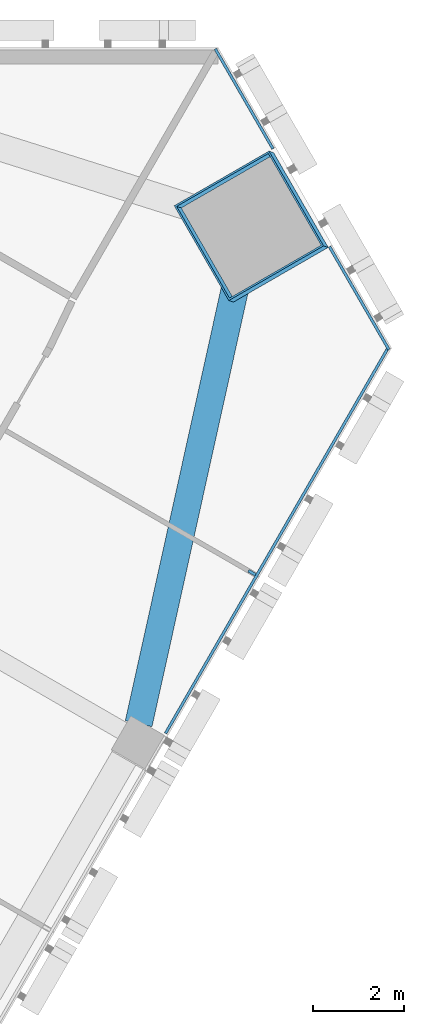
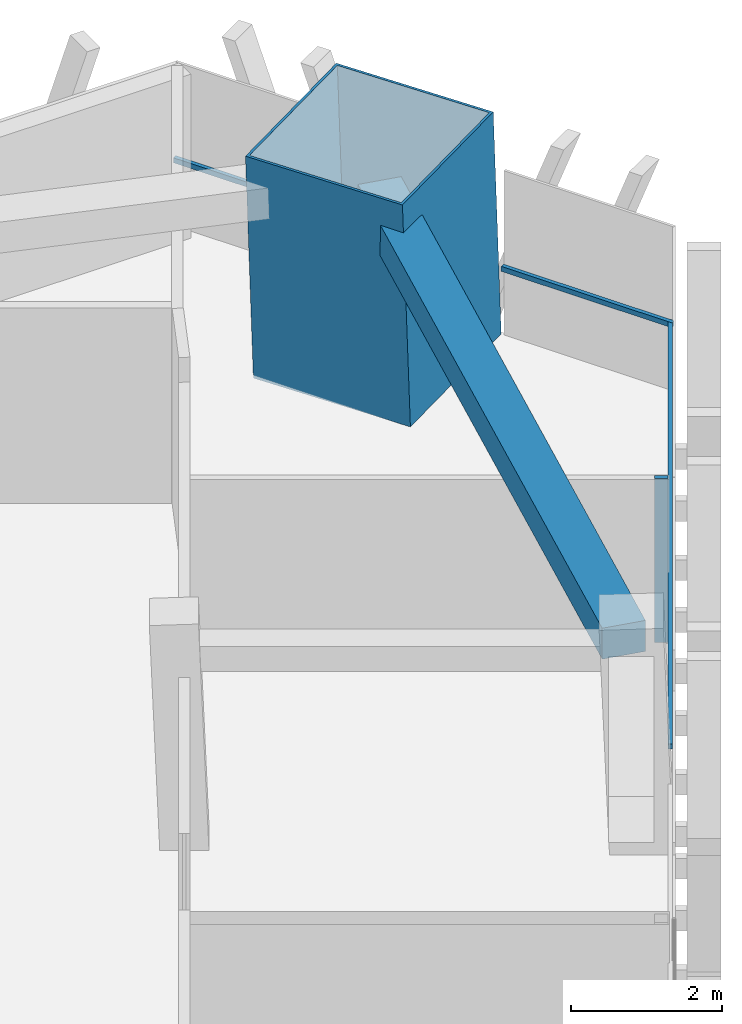
# One storey, part 7 of 16: 5 members, 1 beam, 2 elements without a shape of their own.
"""IFC4 building model written with IfcOpenShell, lengths in metres."""

import ifcopenshell
import ifcopenshell.guid

model = None  # the IFC model being written
_history = None  # IfcOwnerHistory: only IFC2X3 demands one
_inside = {}  # id of a spatial element -> (the spatial element, [elements in it])
_under = {}  # id of a project, library or spatial element -> (it, [spatial elements below it])
_declared = {}  # id of a project -> (the project, [libraries it declares])
_typed = {}  # id of a type object -> (the type object, [elements of that type])
_made_of = {}  # id of a material, layer set ... -> (it, [elements and type objects made of it])


def new_model(schema):
    """Start an empty IFC model of exactly this schema.

    Asked for "IFC4X3", IfcOpenShell would pick the latest addendum, in which some entities
    have other attributes; the version numbers below select the first issue.
    IFC2X3 requires an IfcOwnerHistory on every rooted entity: one is made here for all.
    """
    global model, _history
    if schema == "IFC4X3":
        model = ifcopenshell.file(schema_version=(4, 3, 0, 0))
    else:
        model = ifcopenshell.file(schema=schema)
    _inside.clear()
    _under.clear()
    _declared.clear()
    _typed.clear()
    _made_of.clear()
    _history = None
    if model.schema == "IFC2X3":
        org = make("IfcOrganization", Name="unknown")
        user = make(
            "IfcPersonAndOrganization",
            ThePerson=make("IfcPerson", FamilyName="unknown"),
            TheOrganization=org,
        )
        app = make(
            "IfcApplication",
            ApplicationDeveloper=org,
            Version="unknown",
            ApplicationFullName="unknown",
            ApplicationIdentifier="unknown",
        )
        _history = make(
            "IfcOwnerHistory",
            OwningUser=user,
            OwningApplication=app,
            ChangeAction="ADDED",
            CreationDate=0,
        )
    return model


def make(cls, **values):
    """One entity of the class cls with the attributes given. An attribute that is None is left unset."""
    return model.create_entity(
        cls, **{name: value for name, value in values.items() if value is not None}
    )


def rooted(cls, **values):
    """An entity with a GlobalId (a new one), such as an element, a storey or a relation."""
    return make(cls, GlobalId=ifcopenshell.guid.new(), OwnerHistory=_history, **values)


def si_unit(unit_type, name, prefix=None):
    """IfcSIUnit, for example si_unit("LENGTHUNIT", "METRE", prefix="MILLI")."""
    return make("IfcSIUnit", UnitType=unit_type, Prefix=prefix, Name=name)


def assignment(units):
    """IfcUnitAssignment: the units of a project."""
    return None if units is None else make("IfcUnitAssignment", Units=units)


def point(xyz):
    """IfcCartesianPoint."""
    return None if xyz is None else make("IfcCartesianPoint", Coordinates=xyz)


def direction(xyz):
    """IfcDirection."""
    return None if xyz is None else make("IfcDirection", DirectionRatios=xyz)


def frame(location, z_axis=None, x_axis=None):
    """IfcAxis2Placement3D, a coordinate frame: its origin and axes. An axis left out is left unset."""
    return make(
        "IfcAxis2Placement3D",
        Location=point(location),
        Axis=direction(z_axis),
        RefDirection=direction(x_axis),
    )


def frame_2d(location, x_axis=None):
    """IfcAxis2Placement2D, a coordinate frame in the plane: its origin and x axis."""
    return make(
        "IfcAxis2Placement2D", Location=point(location), RefDirection=direction(x_axis)
    )


def origin():
    """The frame at (0, 0, 0) with its axes left unset."""
    return frame((0.0, 0.0, 0.0))


def origin_2d():
    """The frame at (0, 0) in the plane with its x axis left unset."""
    return frame_2d((0.0, 0.0))


def place(relative_to, where):
    """IfcLocalPlacement: puts the frame where relative to a parent placement (None: the world)."""
    return make(
        "IfcLocalPlacement", PlacementRelTo=relative_to, RelativePlacement=where
    )


def context(
    kind, dimensions, precision=None, world=None, true_north=None, identifier=None
):
    """IfcGeometricRepresentationContext, for example the 3D "Model" context."""
    return make(
        "IfcGeometricRepresentationContext",
        ContextIdentifier=identifier,
        ContextType=kind,
        CoordinateSpaceDimension=dimensions,
        Precision=precision,
        WorldCoordinateSystem=world,
        TrueNorth=true_north,
    )


def subcontext(parent, identifier, kind, view, scale=None):
    """IfcGeometricRepresentationSubContext, for example "Body" below "Model"."""
    return make(
        "IfcGeometricRepresentationSubContext",
        ContextIdentifier=identifier,
        ContextType=kind,
        ParentContext=parent,
        TargetScale=scale,
        TargetView=view,
    )


def project(units=None, contexts=None):
    """IfcProject with its units and contexts."""
    return rooted(
        "IfcProject",
        Name="project",
        RepresentationContexts=contexts,
        UnitsInContext=assignment(units),
    )


def spatial(cls, under=None, at=None, **own):
    """A site, building, storey or space (cls), placed at a placement, below another one or the project."""
    s = rooted(cls, ObjectPlacement=at, **own)
    if under is not None:
        _under.setdefault(under.id(), (under, []))[1].append(s)
    return s


def profile(cls, at=None, kind="AREA", **sizes):
    """A parametric profile (cls). Its sizes go by their IFC names, for example OverallWidth=200.0."""
    return make(cls, ProfileType=kind, Position=at, **sizes)


def rectangle(**sizes):
    """IfcRectangleProfileDef."""
    return profile("IfcRectangleProfileDef", **sizes)


def hollow_rectangle(**sizes):
    """IfcRectangleHollowProfileDef."""
    return profile("IfcRectangleHollowProfileDef", **sizes)


def extrude(swept, where, along, depth):
    """IfcExtrudedAreaSolid: the profile swept, set in the frame where, extruded along a direction by depth."""
    return make(
        "IfcExtrudedAreaSolid",
        SweptArea=swept,
        Position=where,
        ExtrudedDirection=direction(along),
        Depth=depth,
    )


def shape(context_of_items, identifier, shape_type, items):
    """IfcShapeRepresentation: the items that make up one representation, for example the "Body"."""
    return make(
        "IfcShapeRepresentation",
        ContextOfItems=context_of_items,
        RepresentationIdentifier=identifier,
        RepresentationType=shape_type,
        Items=items,
    )


def material(Name=None, Category=None):
    """IfcMaterial."""
    return make("IfcMaterial", Name=Name, Category=Category)


def layer(
    of_material, thickness, ventilated=None, Name=None, Category=None, Priority=None
):
    """IfcMaterialLayer: one layer of a wall or slab, of a material (None: an air gap)."""
    return make(
        "IfcMaterialLayer",
        Material=of_material,
        LayerThickness=thickness,
        IsVentilated=ventilated,
        Name=Name,
        Category=Category,
        Priority=Priority,
    )


def layer_set(layers, Name=None):
    """IfcMaterialLayerSet."""
    return make("IfcMaterialLayerSet", MaterialLayers=layers, LayerSetName=Name)


def material_profile(
    of_material, cross_section, Name=None, Category=None, Priority=None
):
    """IfcMaterialProfile: a cross section and its material."""
    return make(
        "IfcMaterialProfile",
        Name=Name,
        Material=of_material,
        Profile=cross_section,
        Priority=Priority,
        Category=Category,
    )


def profile_set(profiles, Name=None, composite=None):
    """IfcMaterialProfileSet."""
    return make(
        "IfcMaterialProfileSet",
        Name=Name,
        MaterialProfiles=profiles,
        CompositeProfile=composite,
    )


def made_of(thing, what):
    """Note that an element or type object is made of a material, layer set ...; save() writes the relation."""
    if what is not None:
        _made_of.setdefault(what.id(), (what, []))[1].append(thing)
    return thing


def type_object(cls, material=None, **own):
    """A type object (cls), such as IfcWallType, which elements share."""
    return made_of(rooted(cls, **own), material)


def element(
    cls,
    number,
    at=None,
    inside=None,
    cuts=None,
    type_object=None,
    material=None,
    context=None,
    identifier="Body",
    shape_type=None,
    held_by="IfcProductDefinitionShape",
    body=None,
    shapes=None,
    **own,
):
    """One element of the class cls, such as IfcWall. Its Tag is "e" and its number.

    at: its placement. inside: the storey or other place that contains it. cuts: it is an
    opening in that element (IfcRelVoidsElement). A single representation is given by context,
    identifier, shape_type and body (its items); several are given by shapes. held_by: the class
    of the entity that holds the representations. save() writes the other relations.
    """
    e = rooted(cls, Tag="e%d" % number, ObjectPlacement=at, **own)
    if body is not None:
        shapes = [shape(context, identifier, shape_type, body)]
    if shapes is not None:
        e.Representation = make(held_by, Representations=shapes)
    if inside is not None:
        _inside.setdefault(inside.id(), (inside, []))[1].append(e)
    if cuts is not None:
        rooted(
            "IfcRelVoidsElement", RelatingBuildingElement=cuts, RelatedOpeningElement=e
        )
    if type_object is not None:
        _typed.setdefault(type_object.id(), (type_object, []))[1].append(e)
    return made_of(e, material)


def aggregate(whole, parts):
    """IfcRelAggregates: a whole, such as a stair, and the parts it consists of."""
    return rooted("IfcRelAggregates", RelatingObject=whole, RelatedObjects=parts)


def save(model, path):
    """Write the relations noted so far, then the file.

    IfcRelAggregates (storeys below a building ...), IfcRelContainedInSpatialStructure (elements
    in a storey), IfcRelDefinesByType, IfcRelAssociatesMaterial and IfcRelDeclares: one each for
    every whole, place, type object, material and project.
    """
    for whole, parts in _under.values():
        aggregate(whole, parts)
    for where, things in _inside.values():
        rooted(
            "IfcRelContainedInSpatialStructure",
            RelatedElements=things,
            RelatingStructure=where,
        )
    for kind, things in _typed.values():
        rooted("IfcRelDefinesByType", RelatedObjects=things, RelatingType=kind)
    for what, things in _made_of.values():
        rooted("IfcRelAssociatesMaterial", RelatedObjects=things, RelatingMaterial=what)
    for by, libraries in _declared.values():
        rooted("IfcRelDeclares", RelatingContext=by, RelatedDefinitions=libraries)
    model.write(path)


model = new_model("IFC4")

# Units and contexts
model_context = context("Model", 3, precision=1e-05, world=origin(), true_north=direction((0.0, 1.0)))
body_context = subcontext(model_context, "Body", "Model", "MODEL_VIEW")
ifc_project = project(units=[si_unit("LENGTHUNIT", "METRE"), si_unit("AREAUNIT", "SQUARE_METRE"), si_unit("VOLUMEUNIT", "CUBIC_METRE"), si_unit("PLANEANGLEUNIT", "RADIAN"), si_unit("MASSUNIT", "GRAM", prefix="KILO")], contexts=[model_context])

# Site, building, storey
site_placement = place(None, origin())
site = spatial("IfcSite", under=ifc_project, at=site_placement, CompositionType="ELEMENT")
building_placement = place(site_placement, origin())
building = spatial("IfcBuilding", under=site, at=building_placement, Name="Altiplano Prism Tower", CompositionType="ELEMENT")
storey_placement = place(building_placement, frame((0.0, 0.0, 138.60009765625)))
storey = spatial("IfcBuildingStorey", under=building, at=storey_placement, Name="L35", CompositionType="ELEMENT", Elevation=138.60009765625)

# Curtain wall, members
ifc_material_1 = material(Name="Aluminium and glass", Category="aluminium")
ifc_layer = layer(ifc_material_1, 0.280029296875)
ifc_layer_set = layer_set([ifc_layer], Name="Aluminium and glass")
curtain_wall_type = type_object("IfcCurtainWallType", Name="CW1 typical co-living unitised curtain wall", PredefinedType="NOTDEFINED", material=ifc_layer_set)
curtain_wall_1_placement = place(storey_placement, origin())
curtain_wall_1 = element("IfcCurtainWall", 1, at=curtain_wall_1_placement, inside=storey, type_object=curtain_wall_type, Name="CW1 curtain wall south-east face L35", PredefinedType="NOTDEFINED")
ifc_material_2 = material(Name="Aluminium", Category="aluminium")
ifc_material_profile_1 = material_profile(ifc_material_2, rectangle(XDim=0.179931640625, YDim=0.06494140625, at=origin_2d()), Name="CW1 mullion 65 x 180")
ifc_profile_set_1 = profile_set([ifc_material_profile_1], Name="Aluminium")
member_type_1 = type_object("IfcMemberType", Name="CW1 mullion 65 x 180", PredefinedType="MULLION", material=ifc_profile_set_1)
member_1_placement = place(storey_placement, frame((109.542236328125, 93.478271484375, 0.0), z_axis=(0.0, 0.0, 1.0), x_axis=(-0.866025409553, 0.499999990009, 0.0)))
member_1 = element("IfcMember", 2, at=member_1_placement, type_object=member_type_1, Name="CW1 mullion", PredefinedType="MULLION", context=body_context, shape_type="SweptSolid", body=[
    extrude(rectangle(XDim=0.179931640625, YDim=0.06494140625, at=origin_2d()), origin(), (0.0, 0.0, 1.0), 2.64990234375),
])
ifc_material_profile_2 = material_profile(ifc_material_2, rectangle(XDim=0.06005859375, YDim=0.080078125, at=origin_2d()), Name="CW1 transom 80 x 60")
ifc_profile_set_2 = profile_set([ifc_material_profile_2], Name="Aluminium")
member_type_2 = type_object("IfcMemberType", Name="CW1 transom 80 x 60", PredefinedType="USERDEFINED", material=ifc_profile_set_2)
member_2_placement = place(storey_placement, frame((107.6484375, 89.958251953125, 1.099853515625), z_axis=(0.500007244493, 0.866021221134, 0.0), x_axis=(-0.866021221134, 0.500007244493, 0.0)))
member_2 = element("IfcMember", 3, at=member_2_placement, type_object=member_type_2, Name="CW1 transom", ObjectType="TRANSOM", PredefinedType="USERDEFINED", context=body_context, shape_type="SweptSolid", body=[
    extrude(rectangle(XDim=0.06005859375, YDim=0.080078125, at=origin_2d()), origin(), (0.0, 0.0, 1.0), 9.795166015625),
])
aggregate(curtain_wall_1, [member_1, member_2])

curtain_wall_2_placement = place(storey_placement, origin())
curtain_wall_2 = element("IfcCurtainWall", 4, at=curtain_wall_2_placement, inside=storey, type_object=curtain_wall_type, Name="CW1 curtain wall north-east chamfer L35", PredefinedType="NOTDEFINED")
member_3_placement = place(storey_placement, frame((112.546142578125, 98.37109375, 1.099853515625), z_axis=(-0.499976450906, 0.866038999434, 0.0), x_axis=(-0.866038999434, -0.499976450906, 0.0)))
member_3 = element("IfcMember", 5, at=member_3_placement, type_object=member_type_2, Name="CW1 transom", ObjectType="TRANSOM", PredefinedType="USERDEFINED", context=body_context, shape_type="SweptSolid", body=[
    extrude(rectangle(XDim=0.06005859375, YDim=0.080078125, at=origin_2d()), origin(), (0.0, 0.0, 1.0), 2.607177734375),
])
member_4_placement = place(storey_placement, frame((110.002685546875, 102.776611328125, 1.099853515625), z_axis=(-0.499973348067, 0.866040790738, 0.0), x_axis=(-0.866040790738, -0.499973348067, 0.0)))
member_4 = element("IfcMember", 6, at=member_4_placement, type_object=member_type_2, Name="CW1 transom", ObjectType="TRANSOM", PredefinedType="USERDEFINED", context=body_context, shape_type="SweptSolid", body=[
    extrude(rectangle(XDim=0.06005859375, YDim=0.080078125, at=origin_2d()), origin(), (0.0, 0.0, 1.0), 2.527099609375),
])
aggregate(curtain_wall_2, [member_3, member_4])

# Beam
ifc_material_3 = material(Name="Concrete C60/75", Category="concrete")
ifc_material_profile_3 = material_profile(ifc_material_3, rectangle(XDim=0.60009765625, YDim=0.5, at=origin_2d()), Name="Edge beam 600x500")
ifc_profile_set_3 = profile_set([ifc_material_profile_3], Name="Concrete C60/75")
beam_type = type_object("IfcBeamType", Name="Edge beam 600x500", PredefinedType="SPANDREL", material=ifc_profile_set_3)
beam_placement = place(storey_placement, frame((107.0576171875, 90.167724609375, 2.89990234375), z_axis=(0.216183770385, 0.976352691102, 0.0), x_axis=(-0.976352691102, 0.216183770385, 0.0)))
element("IfcBeam", 7, at=beam_placement, inside=storey, type_object=beam_type, Name="Edge beam P24-M2 L36", PredefinedType="SPANDREL", context=body_context, shape_type="SweptSolid", body=[
    extrude(rectangle(XDim=0.60009765625, YDim=0.5, at=origin_2d()), origin(), (0.0, 0.0, 1.0), 10.733154296875),
])

# Member
ifc_material_4 = material(Name="Steel S460", Category="steel")
ifc_material_profile_4 = material_profile(ifc_material_4, hollow_rectangle(XDim=2.39990234375, YDim=2.39990234375, WallThickness=0.0400390625, at=origin_2d()), Name="Mega column tube 2400")
ifc_profile_set_4 = profile_set([ifc_material_profile_4], Name="Steel S460")
member_type_3 = type_object("IfcMemberType", Name="Mega column tube 2400", PredefinedType="POST", material=ifc_profile_set_4)
member_5_placement = place(storey_placement, frame((109.577392578125, 101.052978515625, 0.0), z_axis=(-0.028403721265, 0.009287135593, 0.999553389135), x_axis=(0.498883801201, -0.866383831898, 0.022226307065)))
element("IfcMember", 8, at=member_5_placement, inside=storey, type_object=member_type_3, Name="Mega column tube M2 L35", PredefinedType="POST", context=body_context, shape_type="SweptSolid", body=[
    extrude(hollow_rectangle(XDim=2.39990234375, YDim=2.39990234375, WallThickness=0.0400390625, at=origin_2d()), origin(), (0.0, 0.0, 1.0), 3.6015625),
])

save(model, "model.ifc")
